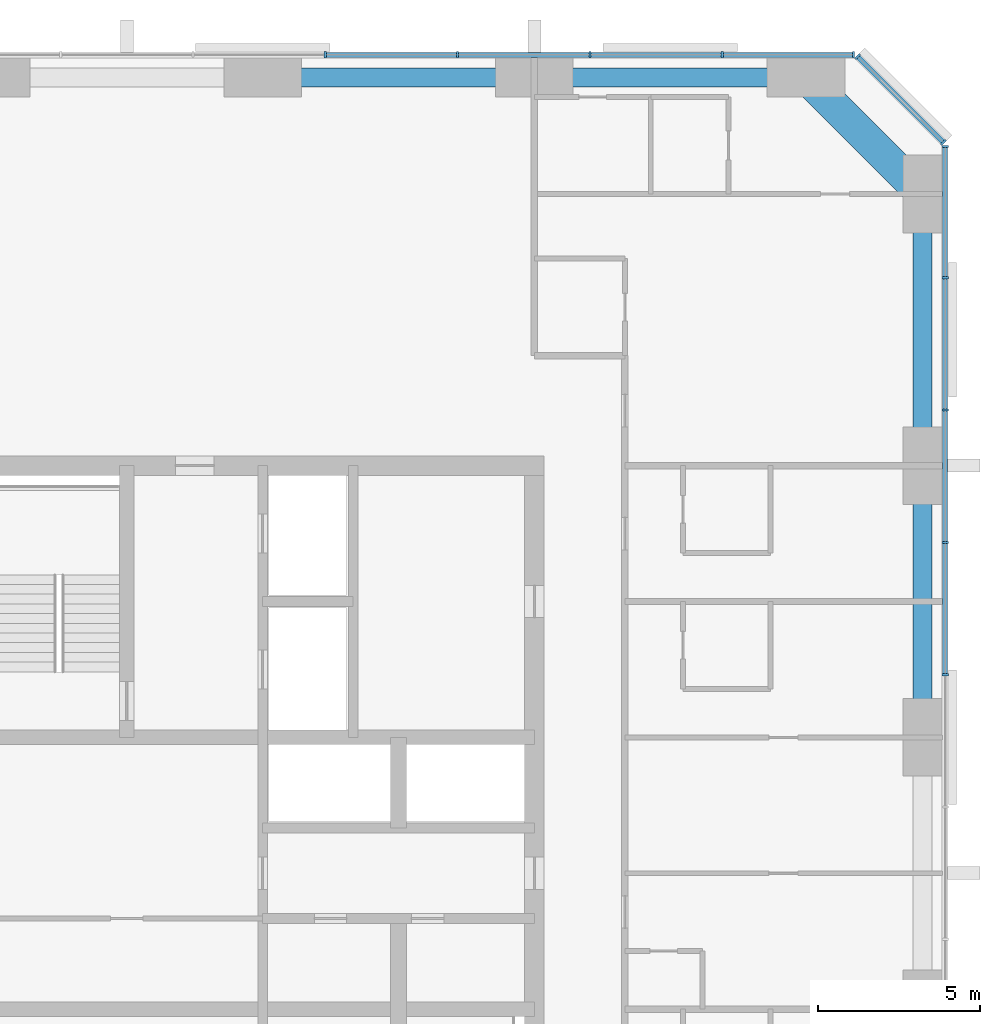
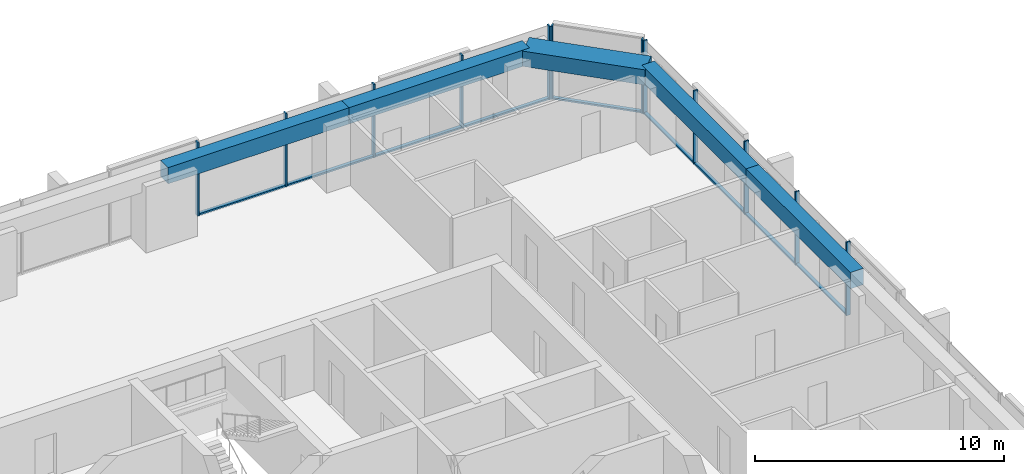
# One storey, part 6 of 13: 21 members, 5 beams, 3 elements without a shape of their own.
"""IFC4 building model written with IfcOpenShell, lengths in metres."""

from ifc_helpers import new_model, si_unit, direction, frame, origin, origin_2d, place, context, subcontext, project, spatial, rectangle, extrude, material, material_profile, profile_set, type_object, element, aggregate, save


model = new_model("IFC4")

# Units and contexts
model_context = context("Model", 3, precision=1e-05, world=origin(), true_north=direction((0.0, 1.0)))
body_context = subcontext(model_context, "Body", "Model", "MODEL_VIEW")
ifc_project = project(units=[si_unit("LENGTHUNIT", "METRE"), si_unit("AREAUNIT", "SQUARE_METRE"), si_unit("VOLUMEUNIT", "CUBIC_METRE"), si_unit("PLANEANGLEUNIT", "RADIAN"), si_unit("MASSUNIT", "GRAM", prefix="KILO")], contexts=[model_context])

# Site, building, storey
site_placement = place(None, origin())
site = spatial("IfcSite", under=ifc_project, at=site_placement, CompositionType="ELEMENT")
building_placement = place(site_placement, origin())
building = spatial("IfcBuilding", under=site, at=building_placement, Name="Dunama Terrace Hotel", CompositionType="ELEMENT")
storey_placement = place(building_placement, frame((0.0, 0.0, 205.800048828125)))
storey = spatial("IfcBuildingStorey", under=building, at=storey_placement, Name="L53", CompositionType="ELEMENT", Elevation=205.800048828125)

# Curtain wall, members
ifc_material_1 = material(Name="Aluminium curtain wall system", Category="aluminium")
curtain_wall_type = type_object("IfcCurtainWallType", Name="Unitised fritted glass wall CW-C", PredefinedType="NOTDEFINED", material=ifc_material_1)
curtain_wall_1_placement = place(storey_placement, origin())
curtain_wall_1 = element("IfcCurtainWall", 1, at=curtain_wall_1_placement, inside=storey, type_object=curtain_wall_type, Name="Unitised fritted glass wall CW-C L53", PredefinedType="NOTDEFINED")
ifc_material_2 = material(Name="Aluminium mullion", Category="aluminium")
ifc_material_profile_1 = material_profile(ifc_material_2, rectangle(XDim=0.070068359375, YDim=0.199951171875, at=origin_2d()), Name="CWC MULLION 70X200")
ifc_profile_set_1 = profile_set([ifc_material_profile_1], Name="Aluminium mullion")
member_type_1 = type_object("IfcMemberType", Name="CWC mullion 70x200", PredefinedType="MULLION", material=ifc_profile_set_1)
member_1_placement = place(storey_placement, frame((54.699951171875, 35.535888671875, 0.0), z_axis=(0.0, 0.0, 1.0), x_axis=(0.0, 1.0, 0.0)))
member_1 = element("IfcMember", 2, at=member_1_placement, type_object=member_type_1, Name="CWC mullion", PredefinedType="MULLION", context=body_context, shape_type="SweptSolid", body=[
    extrude(rectangle(XDim=0.070068359375, YDim=0.199951171875, at=origin_2d()), origin(), (0.0, 0.0, 1.0), 3.599853515625),
])
member_2_placement = place(storey_placement, frame((54.699951171875, 39.626953125, 0.0), z_axis=(0.0, 0.0, 1.0), x_axis=(0.0, 1.0, 0.0)))
member_2 = element("IfcMember", 3, at=member_2_placement, type_object=member_type_1, Name="CWC mullion", PredefinedType="MULLION", context=body_context, shape_type="SweptSolid", body=[
    extrude(rectangle(XDim=0.070068359375, YDim=0.199951171875, at=origin_2d()), origin(), (0.0, 0.0, 1.0), 3.599853515625),
])
member_3_placement = place(storey_placement, frame((54.699951171875, 43.718017578125, 0.0), z_axis=(0.0, 0.0, 1.0), x_axis=(0.0, 1.0, 0.0)))
member_3 = element("IfcMember", 4, at=member_3_placement, type_object=member_type_1, Name="CWC mullion", PredefinedType="MULLION", context=body_context, shape_type="SweptSolid", body=[
    extrude(rectangle(XDim=0.070068359375, YDim=0.199951171875, at=origin_2d()), origin(), (0.0, 0.0, 1.0), 3.599853515625),
])
member_4_placement = place(storey_placement, frame((54.699951171875, 47.80908203125, 0.0), z_axis=(0.0, 0.0, 1.0), x_axis=(0.0, 1.0, 0.0)))
member_4 = element("IfcMember", 5, at=member_4_placement, type_object=member_type_1, Name="CWC mullion", PredefinedType="MULLION", context=body_context, shape_type="SweptSolid", body=[
    extrude(rectangle(XDim=0.070068359375, YDim=0.199951171875, at=origin_2d()), origin(), (0.0, 0.0, 1.0), 3.599853515625),
])
member_5_placement = place(storey_placement, frame((54.699951171875, 51.864990234375, 0.0), z_axis=(0.0, 0.0, 1.0), x_axis=(0.0, 1.0, 0.0)))
member_5 = element("IfcMember", 6, at=member_5_placement, type_object=member_type_1, Name="CWC mullion", PredefinedType="MULLION", context=body_context, shape_type="SweptSolid", body=[
    extrude(rectangle(XDim=0.070068359375, YDim=0.199951171875, at=origin_2d()), origin(), (0.0, 0.0, 1.0), 3.599853515625),
])

curtain_wall_2_placement = place(storey_placement, origin())
curtain_wall_2 = element("IfcCurtainWall", 7, at=curtain_wall_2_placement, inside=storey, type_object=curtain_wall_type, Name="Unitised fritted glass wall CW-C L53", PredefinedType="NOTDEFINED")
member_6_placement = place(storey_placement, frame((54.64599609375, 51.9951171875, 0.0), z_axis=(0.0, 0.0, 1.0), x_axis=(-0.707106781187, 0.707106781187, 0.0)))
member_6 = element("IfcMember", 8, at=member_6_placement, type_object=member_type_1, Name="CWC mullion", PredefinedType="MULLION", context=body_context, shape_type="SweptSolid", body=[
    extrude(rectangle(XDim=0.070068359375, YDim=0.199951171875, at=origin_2d()), origin(), (0.0, 0.0, 1.0), 3.599853515625),
])
member_7_placement = place(storey_placement, frame((51.9951171875, 54.64599609375, 0.0), z_axis=(0.0, 0.0, 1.0), x_axis=(-0.707106781187, 0.707106781187, 0.0)))
member_7 = element("IfcMember", 9, at=member_7_placement, type_object=member_type_1, Name="CWC mullion", PredefinedType="MULLION", context=body_context, shape_type="SweptSolid", body=[
    extrude(rectangle(XDim=0.070068359375, YDim=0.199951171875, at=origin_2d()), origin(), (0.0, 0.0, 1.0), 3.599853515625),
])

curtain_wall_3_placement = place(storey_placement, origin())
curtain_wall_3 = element("IfcCurtainWall", 10, at=curtain_wall_3_placement, inside=storey, type_object=curtain_wall_type, Name="Unitised fritted glass wall CW-C L53", PredefinedType="NOTDEFINED")
member_8_placement = place(storey_placement, frame((51.864990234375, 54.699951171875, 0.0), z_axis=(0.0, 0.0, 1.0), x_axis=(-1.0, 0.0, 0.0)))
member_8 = element("IfcMember", 11, at=member_8_placement, type_object=member_type_1, Name="CWC mullion", PredefinedType="MULLION", context=body_context, shape_type="SweptSolid", body=[
    extrude(rectangle(XDim=0.070068359375, YDim=0.199951171875, at=origin_2d()), origin(), (0.0, 0.0, 1.0), 3.599853515625),
])
member_9_placement = place(storey_placement, frame((47.80908203125, 54.699951171875, 0.0), z_axis=(0.0, 0.0, 1.0), x_axis=(-1.0, 0.0, 0.0)))
member_9 = element("IfcMember", 12, at=member_9_placement, type_object=member_type_1, Name="CWC mullion", PredefinedType="MULLION", context=body_context, shape_type="SweptSolid", body=[
    extrude(rectangle(XDim=0.070068359375, YDim=0.199951171875, at=origin_2d()), origin(), (0.0, 0.0, 1.0), 3.599853515625),
])
member_10_placement = place(storey_placement, frame((43.718017578125, 54.699951171875, 0.0), z_axis=(0.0, 0.0, 1.0), x_axis=(-1.0, 0.0, 0.0)))
member_10 = element("IfcMember", 13, at=member_10_placement, type_object=member_type_1, Name="CWC mullion", PredefinedType="MULLION", context=body_context, shape_type="SweptSolid", body=[
    extrude(rectangle(XDim=0.070068359375, YDim=0.199951171875, at=origin_2d()), origin(), (0.0, 0.0, 1.0), 3.599853515625),
])
member_11_placement = place(storey_placement, frame((39.626953125, 54.699951171875, 0.0), z_axis=(0.0, 0.0, 1.0), x_axis=(-1.0, 0.0, 0.0)))
member_11 = element("IfcMember", 14, at=member_11_placement, type_object=member_type_1, Name="CWC mullion", PredefinedType="MULLION", context=body_context, shape_type="SweptSolid", body=[
    extrude(rectangle(XDim=0.070068359375, YDim=0.199951171875, at=origin_2d()), origin(), (0.0, 0.0, 1.0), 3.599853515625),
])
member_12_placement = place(storey_placement, frame((35.535888671875, 54.699951171875, 0.0), z_axis=(0.0, 0.0, 1.0), x_axis=(-1.0, 0.0, 0.0)))
member_12 = element("IfcMember", 15, at=member_12_placement, type_object=member_type_1, Name="CWC mullion", PredefinedType="MULLION", context=body_context, shape_type="SweptSolid", body=[
    extrude(rectangle(XDim=0.070068359375, YDim=0.199951171875, at=origin_2d()), origin(), (0.0, 0.0, 1.0), 3.599853515625),
])

# Member
ifc_material_3 = material(Name="Aluminium transom", Category="aluminium")
ifc_material_profile_2 = material_profile(ifc_material_3, rectangle(XDim=0.159912109375, YDim=0.080078125, at=origin_2d()), Name="CWC TRANSOM 160X80")
ifc_profile_set_2 = profile_set([ifc_material_profile_2], Name="Aluminium transom")
member_type_2 = type_object("IfcMemberType", Name="CWC transom 160x80", PredefinedType="USERDEFINED", material=ifc_profile_set_2)
member_13_placement = place(storey_placement, frame((54.699951171875, 35.571044921875, 0.0400390625), z_axis=(0.0, 1.0, 0.0), x_axis=(-1.0, 0.0, 0.0)))
member_13 = element("IfcMember", 16, at=member_13_placement, type_object=member_type_2, Name="CWC transom", ObjectType="TRANSOM", PredefinedType="USERDEFINED", context=body_context, shape_type="SweptSolid", body=[
    extrude(rectangle(XDim=0.159912109375, YDim=0.080078125, at=origin_2d()), origin(), (0.0, 0.0, 1.0), 4.02099609375),
])

member_14_placement = place(storey_placement, frame((54.699951171875, 39.662109375, 0.0400390625), z_axis=(0.0, 1.0, 0.0), x_axis=(-1.0, 0.0, 0.0)))
member_14 = element("IfcMember", 17, at=member_14_placement, type_object=member_type_2, Name="CWC transom", ObjectType="TRANSOM", PredefinedType="USERDEFINED", context=body_context, shape_type="SweptSolid", body=[
    extrude(rectangle(XDim=0.159912109375, YDim=0.080078125, at=origin_2d()), origin(), (0.0, 0.0, 1.0), 4.02099609375),
])

member_15_placement = place(storey_placement, frame((54.699951171875, 43.7529296875, 0.0400390625), z_axis=(0.0, 1.0, 0.0), x_axis=(-1.0, 0.0, 0.0)))
member_15 = element("IfcMember", 18, at=member_15_placement, type_object=member_type_2, Name="CWC transom", ObjectType="TRANSOM", PredefinedType="USERDEFINED", context=body_context, shape_type="SweptSolid", body=[
    extrude(rectangle(XDim=0.159912109375, YDim=0.080078125, at=origin_2d()), origin(), (0.0, 0.0, 1.0), 4.02099609375),
])

member_16_placement = place(storey_placement, frame((54.699951171875, 47.843994140625, 0.0400390625), z_axis=(0.0, 1.0, 0.0), x_axis=(-1.0, 0.0, 0.0)))
member_16 = element("IfcMember", 19, at=member_16_placement, type_object=member_type_2, Name="CWC transom", ObjectType="TRANSOM", PredefinedType="USERDEFINED", context=body_context, shape_type="SweptSolid", body=[
    extrude(rectangle(XDim=0.159912109375, YDim=0.080078125, at=origin_2d()), origin(), (0.0, 0.0, 1.0), 3.986083984375),
])

aggregate(curtain_wall_1, [member_1, member_2, member_3, member_4, member_5, member_13, member_14, member_15, member_16])

member_17_placement = place(storey_placement, frame((54.62109375, 52.02001953125, 0.0400390625), z_axis=(-0.707106781187, 0.707106781187, 0.0), x_axis=(-0.707106781187, -0.707106781187, 0.0)))
member_17 = element("IfcMember", 20, at=member_17_placement, type_object=member_type_2, Name="CWC transom", ObjectType="TRANSOM", PredefinedType="USERDEFINED", context=body_context, shape_type="SweptSolid", body=[
    extrude(rectangle(XDim=0.159912109375, YDim=0.080078125, at=origin_2d()), origin(), (0.0, 0.0, 1.0), 3.678466796875),
])

aggregate(curtain_wall_2, [member_6, member_7, member_17])

member_18_placement = place(storey_placement, frame((51.830078125, 54.699951171875, 0.0400390625), z_axis=(-1.0, 0.0, 0.0), x_axis=(0.0, -1.0, 0.0)))
member_18 = element("IfcMember", 21, at=member_18_placement, type_object=member_type_2, Name="CWC transom", ObjectType="TRANSOM", PredefinedType="USERDEFINED", context=body_context, shape_type="SweptSolid", body=[
    extrude(rectangle(XDim=0.159912109375, YDim=0.080078125, at=origin_2d()), origin(), (0.0, 0.0, 1.0), 3.986083984375),
])

member_19_placement = place(storey_placement, frame((47.77392578125, 54.699951171875, 0.0400390625), z_axis=(-1.0, 0.0, 0.0), x_axis=(0.0, -1.0, 0.0)))
member_19 = element("IfcMember", 22, at=member_19_placement, type_object=member_type_2, Name="CWC transom", ObjectType="TRANSOM", PredefinedType="USERDEFINED", context=body_context, shape_type="SweptSolid", body=[
    extrude(rectangle(XDim=0.159912109375, YDim=0.080078125, at=origin_2d()), origin(), (0.0, 0.0, 1.0), 4.02099609375),
])

member_20_placement = place(storey_placement, frame((43.68310546875, 54.699951171875, 0.0400390625), z_axis=(-1.0, 0.0, 0.0), x_axis=(0.0, -1.0, 0.0)))
member_20 = element("IfcMember", 23, at=member_20_placement, type_object=member_type_2, Name="CWC transom", ObjectType="TRANSOM", PredefinedType="USERDEFINED", context=body_context, shape_type="SweptSolid", body=[
    extrude(rectangle(XDim=0.159912109375, YDim=0.080078125, at=origin_2d()), origin(), (0.0, 0.0, 1.0), 4.02099609375),
])

member_21_placement = place(storey_placement, frame((39.592041015625, 54.699951171875, 0.0400390625), z_axis=(-1.0, 0.0, 0.0), x_axis=(0.0, -1.0, 0.0)))
member_21 = element("IfcMember", 24, at=member_21_placement, type_object=member_type_2, Name="CWC transom", ObjectType="TRANSOM", PredefinedType="USERDEFINED", context=body_context, shape_type="SweptSolid", body=[
    extrude(rectangle(XDim=0.159912109375, YDim=0.080078125, at=origin_2d()), origin(), (0.0, 0.0, 1.0), 4.02099609375),
])

aggregate(curtain_wall_3, [member_8, member_9, member_10, member_11, member_12, member_18, member_19, member_20, member_21])

# Beams
ifc_material_4 = material(Name="Concrete C50/60", Category="concrete")
ifc_material_profile_3 = material_profile(ifc_material_4, rectangle(XDim=1.0, YDim=0.75, at=origin_2d()), Name="RC 1000x750")
ifc_profile_set_3 = profile_set([ifc_material_profile_3], Name="Concrete C50/60")
beam_type_1 = type_object("IfcBeamType", Name="Edge beam RC 1000x750", PredefinedType="SPANDREL", material=ifc_profile_set_3)
beam_placement = place(storey_placement, frame((50.39990234375, 54.0, 3.224853515625), z_axis=(0.707106781187, -0.707106781187, 0.0), x_axis=(0.707106781187, 0.707106781187, 0.0)))
element("IfcBeam", 25, at=beam_placement, inside=storey, type_object=beam_type_1, Name="Corner edge beam under L54", PredefinedType="SPANDREL", context=body_context, shape_type="SweptSolid", body=[
    extrude(rectangle(XDim=1.0, YDim=0.75, at=origin_2d()), origin(), (0.0, 0.0, 1.0), 5.09130859375),
])
ifc_material_5 = material(Name="Concrete C40/50", Category="concrete")
ifc_material_profile_4 = material_profile(ifc_material_5, rectangle(XDim=0.60009765625, YDim=0.800048828125, at=origin_2d()), Name="RC 600x800")
ifc_profile_set_4 = profile_set([ifc_material_profile_4], Name="Concrete C40/50")
beam_type_2 = type_object("IfcBeamType", Name="Edge beam RC 600x800", PredefinedType="SPANDREL", material=ifc_profile_set_4)
for number, where, z_axis, x_axis, name in (
    (26, (54.0, 33.60009765625, 3.199951171875), (0.0, 1.0, 0.0), (-1.0, 0.0, 0.0), "Edge beam under L54"),
    (27, (54.0, 42.0, 3.199951171875), (0.0, 1.0, 0.0), (-1.0, 0.0, 0.0), "Edge beam under L54"),
    (28, (33.60009765625, 54.0, 3.199951171875), (1.0, 0.0, 0.0), (0.0, 1.0, 0.0), "Edge beam under L54"),
    (29, (42.0, 54.0, 3.199951171875), (1.0, 0.0, 0.0), (0.0, 1.0, 0.0), "Edge beam under L54"),
):
    element("IfcBeam", number, at=place(storey_placement, frame(where, z_axis=z_axis, x_axis=x_axis)), inside=storey, type_object=beam_type_2, Name=name, PredefinedType="SPANDREL", context=body_context, shape_type="SweptSolid", body=[
        extrude(rectangle(XDim=0.60009765625, YDim=0.800048828125, at=origin_2d()), origin(), (0.0, 0.0, 1.0), 8.39990234375),
    ])

save(model, "model.ifc")
